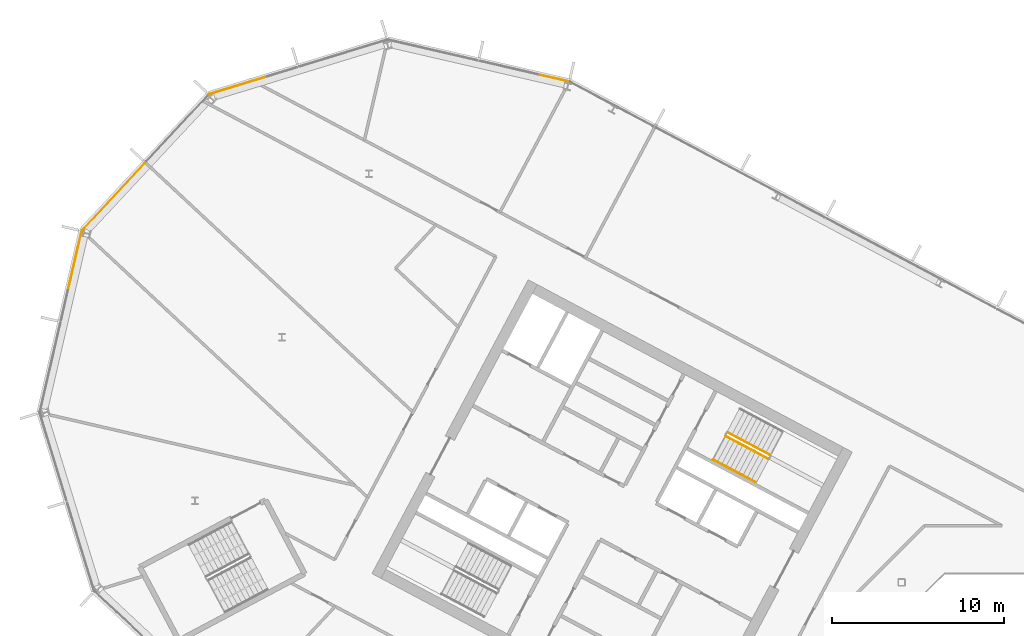
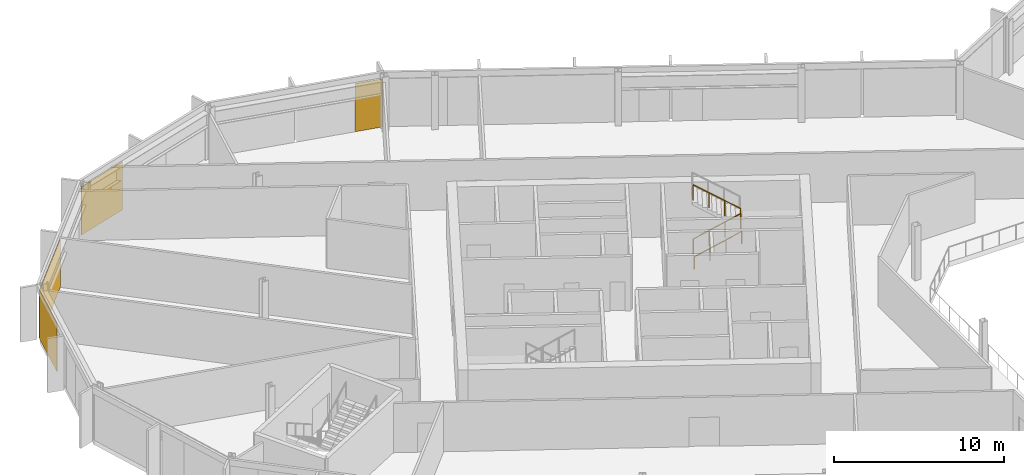
# One storey, part 21 of 26: 4 coverings, 3 railings, 4 elements without a shape of their own.
"""IFC4 building model written with IfcOpenShell, lengths in metres."""

from ifc_helpers import new_model, si_unit, direction, frame, origin, origin_2d, place, context, subcontext, project, spatial, polyline, rectangle, outline, extrude, material, layer, layer_set, type_object, element, aggregate, save


model = new_model("IFC4")

# Units and contexts
model_context = context("Model", 3, precision=1e-05, world=origin(), true_north=direction((0.0, 1.0)))
body_context = subcontext(model_context, "Body", "Model", "MODEL_VIEW")
ifc_project = project(units=[si_unit("LENGTHUNIT", "METRE"), si_unit("AREAUNIT", "SQUARE_METRE"), si_unit("VOLUMEUNIT", "CUBIC_METRE"), si_unit("PLANEANGLEUNIT", "RADIAN"), si_unit("MASSUNIT", "GRAM", prefix="KILO")], contexts=[model_context])

# Site, building, storey
site_placement = place(None, origin())
site = spatial("IfcSite", under=ifc_project, at=site_placement, CompositionType="ELEMENT")
building_placement = place(site_placement, origin())
building = spatial("IfcBuilding", under=site, at=building_placement, Name="Cormorant Relay Tower", CompositionType="ELEMENT")
storey_placement = place(building_placement, frame((0.0, 0.0, 193.5)))
storey = spatial("IfcBuildingStorey", under=building, at=storey_placement, Name="L41", CompositionType="ELEMENT", Elevation=193.5)

# Curtain wall, covering
ifc_material_1 = material(Name="Aluminium 6063-T6 anodised bronze", Category="aluminium")
ifc_layer_1 = layer(ifc_material_1, 0.199951171875)
ifc_layer_set_1 = layer_set([ifc_layer_1], Name="CW1 unitised bronze curtain wall with vertical fins")
curtain_wall_type = type_object("IfcCurtainWallType", Name="CW1 unitised bronze curtain wall with vertical fins", PredefinedType="NOTDEFINED", material=ifc_layer_set_1)
curtain_wall_1_placement = place(storey_placement, origin())
curtain_wall_1 = element("IfcCurtainWall", 1, at=curtain_wall_1_placement, inside=storey, type_object=curtain_wall_type, Name="CW1 curtain wall 10", PredefinedType="NOTDEFINED")
ifc_material_2 = material(Name="Pale bronze anodised aluminium insulated panel", Category="aluminium")
ifc_layer_2 = layer(ifc_material_2, 0.0400390625)
ifc_layer_set_2 = layer_set([ifc_layer_2], Name="CW1 pale bronze insulated panel 40")
covering_type = type_object("IfcCoveringType", Name="CW1 pale bronze insulated panel 40", PredefinedType="CLADDING", material=ifc_layer_set_2)
covering_1_placement = place(storey_placement, frame((-30.76318359375, 39.89404296875, 0.0), z_axis=(0.0, 0.0, 1.0), x_axis=(-0.974370064785, 0.224951054344, 0.0)))
covering_1 = element("IfcCovering", 2, at=covering_1_placement, type_object=covering_type, Name="CW1 panel S00", PredefinedType="CLADDING", context=body_context, shape_type="SweptSolid", body=[
    extrude(rectangle(XDim=1.685302734375, YDim=0.0400390625, at=origin_2d()), origin(), (0.0, 0.0, 1.0), 3.449951171875),
])
aggregate(curtain_wall_1, [covering_1])

curtain_wall_2_placement = place(storey_placement, origin())
curtain_wall_2 = element("IfcCurtainWall", 3, at=curtain_wall_2_placement, inside=storey, type_object=curtain_wall_type, Name="CW1 curtain wall 11", PredefinedType="NOTDEFINED")
covering_2_placement = place(storey_placement, frame((-49.16455078125, 39.474853515625, 0.0), z_axis=(0.0, 0.0, 1.0), x_axis=(-0.956304755963, -0.292371704723, 0.0)))
covering_2 = element("IfcCovering", 4, at=covering_2_placement, type_object=covering_type, Name="CW1 panel S03", PredefinedType="CLADDING", context=body_context, shape_type="SweptSolid", body=[
    extrude(rectangle(XDim=3.560302734375, YDim=0.0400390625, at=origin_2d()), origin(), (0.0, 0.0, 1.0), 3.449951171875),
])
aggregate(curtain_wall_2, [covering_2])

curtain_wall_3_placement = place(storey_placement, origin())
curtain_wall_3 = element("IfcCurtainWall", 5, at=curtain_wall_3_placement, inside=storey, type_object=curtain_wall_type, Name="CW1 curtain wall 12", PredefinedType="NOTDEFINED")
covering_3_placement = place(storey_placement, frame((-56.461181640625, 32.958984375, 0.0), z_axis=(0.0, 0.0, 1.0), x_axis=(-0.681998360062, -0.731353701619, 0.0)))
covering_3 = element("IfcCovering", 6, at=covering_3_placement, type_object=covering_type, Name="CW1 panel S01", PredefinedType="CLADDING", context=body_context, shape_type="SweptSolid", body=[
    extrude(rectangle(XDim=5.360107421875, YDim=0.0400390625, at=origin_2d()), origin(), (0.0, 0.0, 1.0), 3.449951171875),
])
aggregate(curtain_wall_3, [covering_3])

curtain_wall_4_placement = place(storey_placement, origin())
curtain_wall_4 = element("IfcCurtainWall", 7, at=curtain_wall_4_placement, inside=storey, type_object=curtain_wall_type, Name="CW1 curtain wall 13", PredefinedType="NOTDEFINED")
covering_4_placement = place(storey_placement, frame((-58.702880859375, 29.218505859375, 0.0), z_axis=(0.0, 0.0, 1.0), x_axis=(-0.224951054344, -0.974370064785, 0.0)))
covering_4 = element("IfcCovering", 8, at=covering_4_placement, type_object=covering_type, Name="CW1 panel S00", PredefinedType="CLADDING", context=body_context, shape_type="SweptSolid", body=[
    extrude(rectangle(XDim=3.485107421875, YDim=0.0400390625, at=origin_2d()), origin(), (0.0, 0.0, 1.0), 3.449951171875),
])
aggregate(curtain_wall_4, [covering_4])

# Railings
ifc_material_3 = material(Name="Steel ASTM A572 Grade 50 (Fy 345 MPa)", Category="steel")
railing_type_1 = type_object("IfcRailingType", Name="Stair guard 1100", PredefinedType="GUARDRAIL", material=ifc_material_3)
railing_1_placement = place(storey_placement, frame((-20.75048828125, 19.017822265625, 0.17724609375)))
element("IfcRailing", 9, at=railing_1_placement, inside=storey, type_object=railing_type_1, Name="L41 A1 stair guard 1", PredefinedType="GUARDRAIL", context=body_context, shape_type="SweptSolid", body=[
    extrude(outline(polyline([(0.022216796875, 0.00927734375), (0.00927734375, 0.022216796875), (-0.00927734375, 0.022216796875), (-0.022216796875, 0.00927734375), (-0.022216796875, -0.00927734375), (-0.00927734375, -0.022216796875), (0.00927734375, -0.022216796875), (0.022216796875, -0.00927734375), (0.022216796875, 0.00927734375)])), frame((0.0, 0.0, 1.076171875), z_axis=(0.746001213114, -0.396649272309, 0.534931345884), x_axis=(0.469465464807, 0.882950835185, 0.0)), (0.0, 0.0, 1.0), 3.31396484375),
    extrude(outline(polyline([(0.019287109375, 0.008056640625), (0.008056640625, 0.019287109375), (-0.008056640625, 0.019287109375), (-0.019287109375, 0.008056640625), (-0.019287109375, -0.008056640625), (-0.008056640625, -0.019287109375), (0.008056640625, -0.019287109375), (0.019287109375, -0.008056640625), (0.019287109375, 0.008056640625)])), origin(), (0.0, 0.0, 1.0), 1.052001953125),
    extrude(outline(polyline([(0.019287109375, 0.008056640625), (0.008056640625, 0.019287109375), (-0.008056640625, 0.019287109375), (-0.019287109375, 0.008056640625), (-0.019287109375, -0.008056640625), (-0.008056640625, -0.019287109375), (0.008056640625, -0.019287109375), (0.019287109375, -0.008056640625), (0.019287109375, 0.008056640625)])), frame((0.823974609375, -0.438232421875, 0.5908203125)), (0.0, 0.0, 1.0), 1.052001953125),
    extrude(outline(polyline([(0.019287109375, 0.008056640625), (0.008056640625, 0.019287109375), (-0.008056640625, 0.019287109375), (-0.019287109375, 0.008056640625), (-0.019287109375, -0.008056640625), (-0.008056640625, -0.019287109375), (0.008056640625, -0.019287109375), (0.019287109375, -0.008056640625), (0.019287109375, 0.008056640625)])), frame((1.648193359375, -0.876220703125, 1.181884765625)), (0.0, 0.0, 1.0), 1.052001953125),
    extrude(outline(polyline([(0.019287109375, 0.008056640625), (0.008056640625, 0.019287109375), (-0.008056640625, 0.019287109375), (-0.019287109375, 0.008056640625), (-0.019287109375, -0.008056640625), (-0.008056640625, -0.019287109375), (0.008056640625, -0.019287109375), (0.019287109375, -0.008056640625), (0.019287109375, 0.008056640625)])), frame((2.47216796875, -1.314453125, 1.772705078125)), (0.0, 0.0, 1.0), 1.052001953125),
])
railing_2_placement = place(storey_placement, frame((-18.160888671875, 17.924072265625, 2.127197265625)))
element("IfcRailing", 10, at=railing_2_placement, inside=storey, type_object=railing_type_1, Name="L41 A1 stair guard 3", PredefinedType="GUARDRAIL", context=body_context, shape_type="SweptSolid", body=[
    extrude(outline(polyline([(0.022216796875, 0.00927734375), (0.00927734375, 0.022216796875), (-0.00927734375, 0.022216796875), (-0.022216796875, 0.00927734375), (-0.022216796875, -0.00927734375), (-0.00927734375, -0.022216796875), (0.00927734375, -0.022216796875), (0.022216796875, -0.00927734375), (0.022216796875, 0.00927734375)])), frame((0.0, 0.0, 1.076171875), z_axis=(-0.746033882577, 0.396627473466, 0.534901947407), x_axis=(-0.469429322983, -0.882970050864, 0.0)), (0.0, 0.0, 1.0), 3.31396484375),
    extrude(outline(polyline([(0.019287109375, 0.008056640625), (0.008056640625, 0.019287109375), (-0.008056640625, 0.019287109375), (-0.019287109375, 0.008056640625), (-0.019287109375, -0.008056640625), (-0.008056640625, -0.019287109375), (0.008056640625, -0.019287109375), (0.019287109375, -0.008056640625), (0.019287109375, 0.008056640625)])), origin(), (0.0, 0.0, 1.0), 1.052001953125),
    extrude(outline(polyline([(0.019287109375, 0.008056640625), (0.008056640625, 0.019287109375), (-0.008056640625, 0.019287109375), (-0.019287109375, 0.008056640625), (-0.019287109375, -0.008056640625), (-0.008056640625, -0.019287109375), (0.008056640625, -0.019287109375), (0.019287109375, -0.008056640625), (0.019287109375, 0.008056640625)])), frame((-0.82421875, 0.438232421875, 0.5908203125)), (0.0, 0.0, 1.0), 1.052001953125),
    extrude(outline(polyline([(0.019287109375, 0.008056640625), (0.008056640625, 0.019287109375), (-0.008056640625, 0.019287109375), (-0.019287109375, 0.008056640625), (-0.019287109375, -0.008056640625), (-0.008056640625, -0.019287109375), (0.008056640625, -0.019287109375), (0.019287109375, -0.008056640625), (0.019287109375, 0.008056640625)])), frame((-1.648193359375, 0.876220703125, 1.181884765625)), (0.0, 0.0, 1.0), 1.052001953125),
    extrude(outline(polyline([(0.019287109375, 0.008056640625), (0.008056640625, 0.019287109375), (-0.008056640625, 0.019287109375), (-0.019287109375, 0.008056640625), (-0.019287109375, -0.008056640625), (-0.008056640625, -0.019287109375), (0.008056640625, -0.019287109375), (0.019287109375, -0.008056640625), (0.019287109375, 0.008056640625)])), frame((-2.472412109375, 1.314453125, 1.772705078125)), (0.0, 0.0, 1.0), 1.052001953125),
])
ifc_material_4 = material(Name="Steel ASTM A572 Grade 50 (Fy 345 MPa)", Category="steel")
railing_type_2 = type_object("IfcRailingType", Name="Stair handrail 900", PredefinedType="HANDRAIL", material=ifc_material_4)
railing_3_placement = place(storey_placement, frame((-21.478271484375, 17.6494140625, 0.17724609375)))
element("IfcRailing", 11, at=railing_3_placement, inside=storey, type_object=railing_type_2, Name="L41 A1 stair handrail 1", PredefinedType="HANDRAIL", context=body_context, shape_type="SweptSolid", body=[
    extrude(outline(polyline([(0.022216796875, 0.00927734375), (0.00927734375, 0.022216796875), (-0.00927734375, 0.022216796875), (-0.022216796875, 0.00927734375), (-0.022216796875, -0.00927734375), (-0.00927734375, -0.022216796875), (0.00927734375, -0.022216796875), (0.022216796875, -0.00927734375), (0.022216796875, 0.00927734375)])), frame((0.0, 0.0, 0.8759765625), z_axis=(0.746012083385, -0.396689549623, 0.534886317514), x_axis=(0.469497295046, 0.882933910293, 0.0)), (0.0, 0.0, 1.0), 3.314208984375),
    extrude(outline(polyline([(0.019287109375, 0.008056640625), (0.008056640625, 0.019287109375), (-0.008056640625, 0.019287109375), (-0.019287109375, 0.008056640625), (-0.019287109375, -0.008056640625), (-0.008056640625, -0.019287109375), (0.008056640625, -0.019287109375), (0.019287109375, -0.008056640625), (0.019287109375, 0.008056640625)])), origin(), (0.0, 0.0, 1.0), 0.851806640625),
    extrude(outline(polyline([(0.019287109375, 0.008056640625), (0.008056640625, 0.019287109375), (-0.008056640625, 0.019287109375), (-0.019287109375, 0.008056640625), (-0.019287109375, -0.008056640625), (-0.008056640625, -0.019287109375), (0.008056640625, -0.019287109375), (0.019287109375, -0.008056640625), (0.019287109375, 0.008056640625)])), frame((0.82421875, -0.438232421875, 0.5908203125)), (0.0, 0.0, 1.0), 0.851806640625),
    extrude(outline(polyline([(0.019287109375, 0.008056640625), (0.008056640625, 0.019287109375), (-0.008056640625, 0.019287109375), (-0.019287109375, 0.008056640625), (-0.019287109375, -0.008056640625), (-0.008056640625, -0.019287109375), (0.008056640625, -0.019287109375), (0.019287109375, -0.008056640625), (0.019287109375, 0.008056640625)])), frame((1.648193359375, -0.87646484375, 1.181884765625)), (0.0, 0.0, 1.0), 0.851806640625),
    extrude(outline(polyline([(0.019287109375, 0.008056640625), (0.008056640625, 0.019287109375), (-0.008056640625, 0.019287109375), (-0.019287109375, 0.008056640625), (-0.019287109375, -0.008056640625), (-0.008056640625, -0.019287109375), (0.008056640625, -0.019287109375), (0.019287109375, -0.008056640625), (0.019287109375, 0.008056640625)])), frame((2.472412109375, -1.314697265625, 1.772705078125)), (0.0, 0.0, 1.0), 0.851806640625),
])

save(model, "model.ifc")
